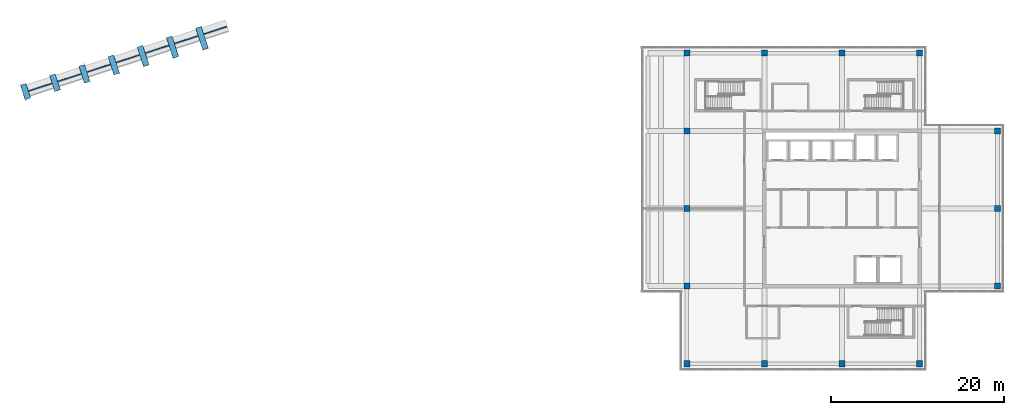
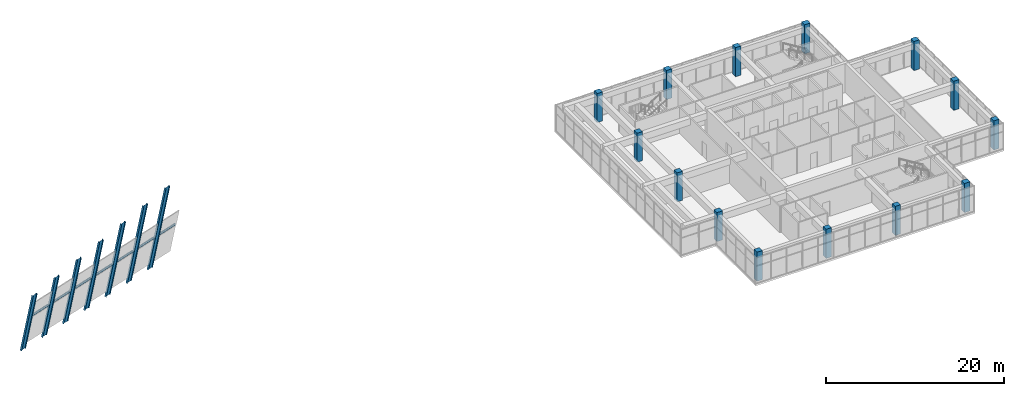
# One storey, part 1 of 32: 14 columns, 14 members.
"""IFC4 building model written with IfcOpenShell, lengths in metres."""

from ifc_helpers import new_model, si_unit, direction, frame, origin, origin_2d, place, context, subcontext, project, spatial, rectangle, hollow_rectangle, i_section, extrude, material, material_profile, profile_set, type_object, element, save


model = new_model("IFC4")

# Units and contexts
model_context = context("Model", 3, precision=1e-05, world=origin(), true_north=direction((0.0, 1.0)))
body_context = subcontext(model_context, "Body", "Model", "MODEL_VIEW")
ifc_project = project(units=[si_unit("LENGTHUNIT", "METRE"), si_unit("AREAUNIT", "SQUARE_METRE"), si_unit("VOLUMEUNIT", "CUBIC_METRE"), si_unit("PLANEANGLEUNIT", "RADIAN"), si_unit("MASSUNIT", "GRAM", prefix="KILO")], contexts=[model_context])

# Site, building, storey
site_placement = place(None, origin())
site = spatial("IfcSite", under=ifc_project, at=site_placement, CompositionType="ELEMENT")
building_placement = place(site_placement, origin())
building = spatial("IfcBuilding", under=site, at=building_placement, Name="Tuart Plaza Theatre", CompositionType="ELEMENT")
storey_placement = place(building_placement, frame((0.0, 0.0, 37.5)))
storey = spatial("IfcBuildingStorey", under=building, at=storey_placement, Name="L09", CompositionType="ELEMENT", Elevation=37.5)

# Columns
ifc_material_1 = material(Name="Concrete N50 (50 MPa)", Category="concrete")
ifc_material_profile_1 = material_profile(ifc_material_1, rectangle(XDim=0.699951171875, YDim=0.699951171875, at=origin_2d()), Name="COLUMN 700x700 Concrete N50 (50 MPa)")
ifc_profile_set_1 = profile_set([ifc_material_profile_1], Name="Concrete N50 (50 MPa)")
column_type = type_object("IfcColumnType", Name="COLUMN 700x700 Concrete N50 (50 MPa)", PredefinedType="COLUMN", material=ifc_profile_set_1)
for number, where, z_axis, x_axis, name in (
    (1, (114.0, 56.0, 0.0), (0.0, 0.0, 1.0), (1.0, 0.0, 0.0), "C66"),
    (2, (114.0, 65.0, 0.0), (0.0, 0.0, 1.0), (1.0, 0.0, 0.0), "C67"),
    (3, (114.0, 74.0, 0.0), (0.0, 0.0, 1.0), (1.0, 0.0, 0.0), "C68"),
    (4, (114.0, 83.0, 0.0), (0.0, 0.0, 1.0), (1.0, 0.0, 0.0), "C69"),
    (5, (114.0, 92.0, 0.0), (0.0, 0.0, 1.0), (1.0, 0.0, 0.0), "C70"),
    (6, (123.0, 56.0, 0.0), (0.0, 0.0, 1.0), (1.0, 0.0, 0.0), "C71"),
    (7, (123.0, 92.0, 0.0), (0.0, 0.0, 1.0), (1.0, 0.0, 0.0), "C72"),
    (8, (132.0, 56.0, 0.0), (0.0, 0.0, 1.0), (1.0, 0.0, 0.0), "C73"),
    (9, (132.0, 92.0, 0.0), (0.0, 0.0, 1.0), (1.0, 0.0, 0.0), "C74"),
    (10, (141.0, 56.0, 0.0), (0.0, 0.0, 1.0), (1.0, 0.0, 0.0), "C75"),
    (11, (141.0, 92.0, 0.0), (0.0, 0.0, 1.0), (1.0, 0.0, 0.0), "C76"),
    (12, (150.0, 65.0, 0.0), (0.0, 0.0, 1.0), (1.0, 0.0, 0.0), "C77"),
    (13, (150.0, 74.0, 0.0), (0.0, 0.0, 1.0), (1.0, 0.0, 0.0), "C78"),
    (14, (150.0, 83.0, 0.0), (0.0, 0.0, 1.0), (1.0, 0.0, 0.0), "C79"),
):
    element("IfcColumn", number, at=place(storey_placement, frame(where, z_axis=z_axis, x_axis=x_axis)), inside=storey, type_object=column_type, Name=name, PredefinedType="COLUMN", context=body_context, shape_type="SweptSolid", body=[
        extrude(rectangle(XDim=0.699951171875, YDim=0.699951171875, at=origin_2d()), origin(), (0.0, 0.0, 1.0), 4.0),
    ])

# Members
ifc_material_2 = material(Name="Steel Grade 300", Category="steel")
ifc_material_profile_2 = material_profile(ifc_material_2, i_section(OverallWidth=0.25, OverallDepth=0.699951171875, WebThickness=0.008056640625, FlangeThickness=0.011962890625, at=origin_2d()), Name="700WB115")
ifc_profile_set_2 = profile_set([ifc_material_profile_2], Name="Steel Grade 300")
member_type_1 = type_object("IfcMemberType", Name="CROWN BLADE Blade 700WB115", PredefinedType="POST", material=ifc_profile_set_2)
member_1_placement = place(storey_placement, frame((37.06591796875, 88.396240234375, -2.3876953125), z_axis=(0.064247042425, -0.197753307889, 0.978144133939), x_axis=(-0.302233790682, 0.930279894724, 0.207928000138)))
element("IfcMember", 15, at=member_1_placement, inside=storey, type_object=member_type_1, Name="PO108", PredefinedType="POST", context=body_context, shape_type="SweptSolid", body=[
    extrude(i_section(OverallWidth=0.25, OverallDepth=0.699951171875, WebThickness=0.008056640625, FlangeThickness=0.011962890625, at=origin_2d()), origin(), (0.0, 0.0, 1.0), 8.57275390625),
])
member_2_placement = place(storey_placement, frame((40.45263671875, 89.49658203125, -2.3876953125), z_axis=(0.064241123677, -0.197725753613, 0.978150092975), x_axis=(-0.302248540431, 0.930281368294, 0.2078999654)))
element("IfcMember", 16, at=member_2_placement, inside=storey, type_object=member_type_1, Name="PO108", PredefinedType="POST", context=body_context, shape_type="SweptSolid", body=[
    extrude(i_section(OverallWidth=0.25, OverallDepth=0.699951171875, WebThickness=0.008056640625, FlangeThickness=0.011962890625, at=origin_2d()), origin(), (0.0, 0.0, 1.0), 9.27294921875),
])
member_3_placement = place(storey_placement, frame((43.83935546875, 90.59716796875, -2.3876953125), z_axis=(0.064261331605, -0.197753537792, 0.978143148803), x_axis=(-0.302293968541, 0.930259305858, 0.207932634401)))
element("IfcMember", 17, at=member_3_placement, inside=storey, type_object=member_type_1, Name="PO108", PredefinedType="POST", context=body_context, shape_type="SweptSolid", body=[
    extrude(i_section(OverallWidth=0.25, OverallDepth=0.699951171875, WebThickness=0.008056640625, FlangeThickness=0.011962890625, at=origin_2d()), origin(), (0.0, 0.0, 1.0), 9.972900390625),
])
member_4_placement = place(storey_placement, frame((47.226318359375, 91.697509765625, -2.3876953125), z_axis=(0.064255251984, -0.197729582824, 0.978148390925), x_axis=(-0.30230284275, 0.930261934045, 0.207907973227)))
element("IfcMember", 18, at=member_4_placement, inside=storey, type_object=member_type_1, Name="PO108", PredefinedType="POST", context=body_context, shape_type="SweptSolid", body=[
    extrude(i_section(OverallWidth=0.25, OverallDepth=0.699951171875, WebThickness=0.008056640625, FlangeThickness=0.011962890625, at=origin_2d()), origin(), (0.0, 0.0, 1.0), 10.6728515625),
])
member_5_placement = place(storey_placement, frame((50.613037109375, 92.7978515625, -2.3876953125), z_axis=(0.064250997202, -0.197733356241, 0.978147907623), x_axis=(-0.302279369968, 0.930269053382, 0.20791024701)))
element("IfcMember", 19, at=member_5_placement, inside=storey, type_object=member_type_1, Name="PO108", PredefinedType="POST", context=body_context, shape_type="SweptSolid", body=[
    extrude(i_section(OverallWidth=0.25, OverallDepth=0.699951171875, WebThickness=0.008056640625, FlangeThickness=0.011962890625, at=origin_2d()), origin(), (0.0, 0.0, 1.0), 11.372802734375),
])
member_6_placement = place(storey_placement, frame((54.0, 93.8984375, -2.3876953125), z_axis=(0.064245964899, -0.197732780858, 0.978148354478), x_axis=(-0.302258889085, 0.930276177991, 0.207908144698)))
element("IfcMember", 20, at=member_6_placement, inside=storey, type_object=member_type_1, Name="PO108", PredefinedType="POST", context=body_context, shape_type="SweptSolid", body=[
    extrude(i_section(OverallWidth=0.25, OverallDepth=0.699951171875, WebThickness=0.008056640625, FlangeThickness=0.011962890625, at=origin_2d()), origin(), (0.0, 0.0, 1.0), 12.072998046875),
])
member_7_placement = place(storey_placement, frame((57.38671875, 94.998779296875, -2.3876953125), z_axis=(0.064260519135, -0.197732025715, 0.978147551082), x_axis=(-0.302321618161, 0.930254949398, 0.207911924412)))
element("IfcMember", 21, at=member_7_placement, inside=storey, type_object=member_type_1, Name="PO108", PredefinedType="POST", context=body_context, shape_type="SweptSolid", body=[
    extrude(i_section(OverallWidth=0.25, OverallDepth=0.699951171875, WebThickness=0.008056640625, FlangeThickness=0.011962890625, at=origin_2d()), origin(), (0.0, 0.0, 1.0), 12.77294921875),
])
ifc_material_3 = material(Name="Steel Grade C350L0", Category="steel")
ifc_material_profile_3 = material_profile(ifc_material_3, hollow_rectangle(XDim=0.14990234375, YDim=0.25, WallThickness=0.009033203125, InnerFilletRadius=0.009033203125, OuterFilletRadius=0.01806640625, at=origin_2d()), Name="250x150x9 RHS")
ifc_profile_set_3 = profile_set([ifc_material_profile_3], Name="Steel Grade C350L0")
member_type_2 = type_object("IfcMemberType", Name="CROWN BLADE Tie 250x150x9 RHS", PredefinedType="CHORD", material=ifc_profile_set_3)
for number, where, z_axis, x_axis, name in (
    (22, (37.6865234375, 87.61865234375, 2.498291015625), (0.951037204154, 0.309076424715, 0.0), (-0.309076424715, 0.951037204154, 0.0), "CH27"),
    (23, (41.0732421875, 88.71923828125, 2.498291015625), (0.951070431632, 0.308974164089, 0.0), (-0.308974164089, 0.951070431632, 0.0), "CH27"),
):
    element("IfcMember", number, at=place(storey_placement, frame(where, z_axis=z_axis, x_axis=x_axis)), inside=storey, type_object=member_type_2, Name=name, PredefinedType="CHORD", context=body_context, shape_type="SweptSolid", body=[
        extrude(hollow_rectangle(XDim=0.14990234375, YDim=0.25, WallThickness=0.009033203125, InnerFilletRadius=0.009033203125, OuterFilletRadius=0.01806640625, at=origin_2d()), origin(), (0.0, 0.0, 1.0), 2.861083984375),
    ])
member_8_placement = place(storey_placement, frame((44.460205078125, 89.819580078125, 2.498291015625), z_axis=(0.951062284761, 0.308999240298, 0.0), x_axis=(-0.308999240298, 0.951062284761, 0.0)))
element("IfcMember", 24, at=member_8_placement, inside=storey, type_object=member_type_2, Name="CH27", PredefinedType="CHORD", context=body_context, shape_type="SweptSolid", body=[
    extrude(hollow_rectangle(XDim=0.14990234375, YDim=0.25, WallThickness=0.009033203125, InnerFilletRadius=0.009033203125, OuterFilletRadius=0.01806640625, at=origin_2d()), origin(), (0.0, 0.0, 1.0), 2.86083984375),
])
member_9_placement = place(storey_placement, frame((47.846923828125, 90.919921875, 2.498291015625), z_axis=(0.951045354881, 0.309051343565, 0.0), x_axis=(-0.309051343565, 0.951045354881, 0.0)))
element("IfcMember", 25, at=member_9_placement, inside=storey, type_object=member_type_2, Name="CH27", PredefinedType="CHORD", context=body_context, shape_type="SweptSolid", body=[
    extrude(hollow_rectangle(XDim=0.14990234375, YDim=0.25, WallThickness=0.009033203125, InnerFilletRadius=0.009033203125, OuterFilletRadius=0.01806640625, at=origin_2d()), origin(), (0.0, 0.0, 1.0), 2.861328125),
])
member_10_placement = place(storey_placement, frame((51.23388671875, 92.0205078125, 2.498291015625), z_axis=(0.951062284761, 0.308999240298, 0.0), x_axis=(-0.308999240298, 0.951062284761, 0.0)))
element("IfcMember", 26, at=member_10_placement, inside=storey, type_object=member_type_2, Name="CH27", PredefinedType="CHORD", context=body_context, shape_type="SweptSolid", body=[
    extrude(hollow_rectangle(XDim=0.14990234375, YDim=0.25, WallThickness=0.009033203125, InnerFilletRadius=0.009033203125, OuterFilletRadius=0.01806640625, at=origin_2d()), origin(), (0.0, 0.0, 1.0), 2.86083984375),
])
member_11_placement = place(storey_placement, frame((54.62060546875, 93.120849609375, 2.498291015625), z_axis=(0.951045354881, 0.309051343565, 0.0), x_axis=(-0.309051343565, 0.951045354881, 0.0)))
element("IfcMember", 27, at=member_11_placement, inside=storey, type_object=member_type_2, Name="CH27", PredefinedType="CHORD", context=body_context, shape_type="SweptSolid", body=[
    extrude(hollow_rectangle(XDim=0.14990234375, YDim=0.25, WallThickness=0.009033203125, InnerFilletRadius=0.009033203125, OuterFilletRadius=0.01806640625, at=origin_2d()), origin(), (0.0, 0.0, 1.0), 2.861328125),
])
member_12_placement = place(storey_placement, frame((58.00732421875, 94.221435546875, 2.498291015625), z_axis=(0.951070431632, 0.308974164089, 0.0), x_axis=(-0.308974164089, 0.951070431632, 0.0)))
element("IfcMember", 28, at=member_12_placement, inside=storey, type_object=member_type_2, Name="CH27", PredefinedType="CHORD", context=body_context, shape_type="SweptSolid", body=[
    extrude(hollow_rectangle(XDim=0.14990234375, YDim=0.25, WallThickness=0.009033203125, InnerFilletRadius=0.009033203125, OuterFilletRadius=0.01806640625, at=origin_2d()), origin(), (0.0, 0.0, 1.0), 2.861083984375),
])

save(model, "model.ifc")
